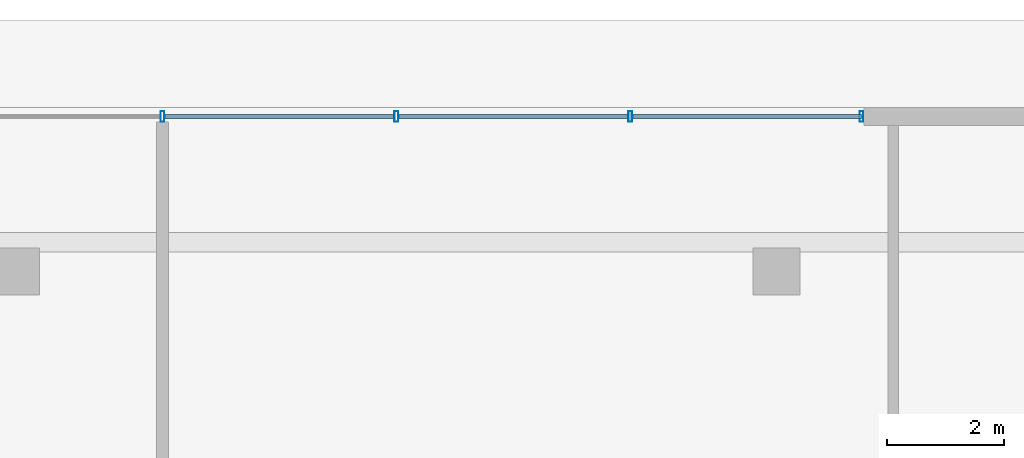
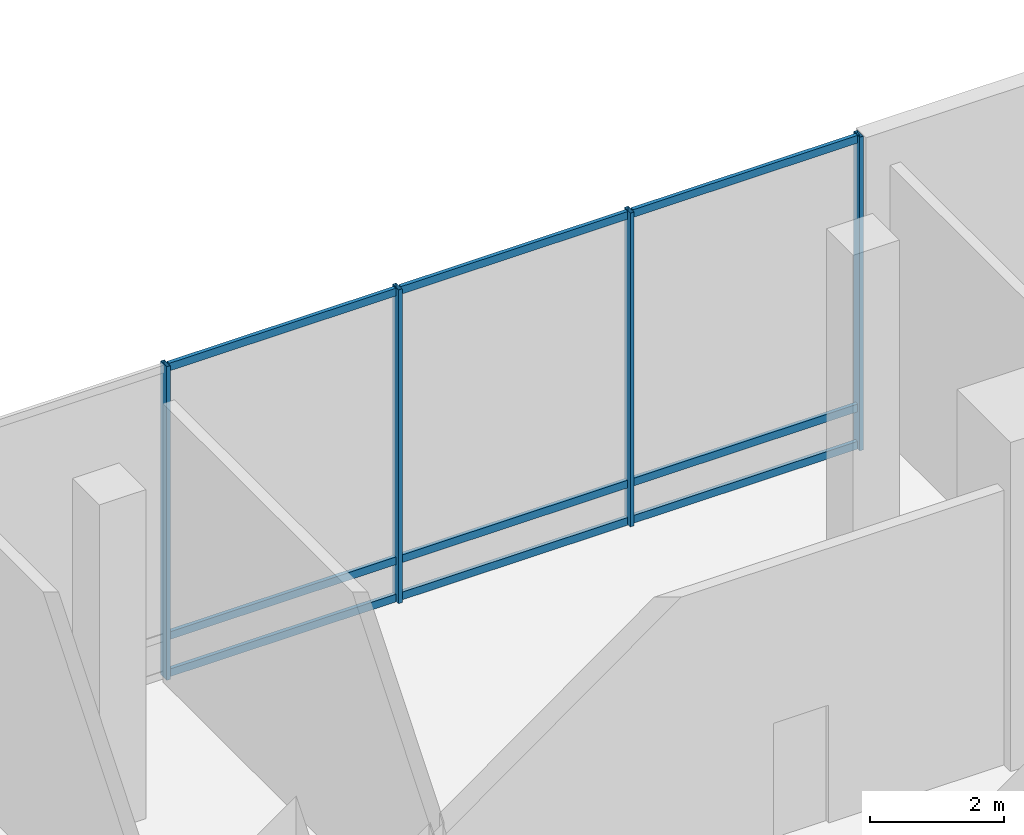
# One storey, part 16 of 34: 13 members, 1 element without a shape of its own.
"""IFC4 building model written with IfcOpenShell, lengths in metres."""

from ifc_helpers import new_model, si_unit, direction, frame, origin, origin_2d, place, context, subcontext, project, spatial, hollow_rectangle, extrude, material, layer, layer_set, material_profile, profile_set, type_object, element, aggregate, save


model = new_model("IFC4")

# Units and contexts
model_context = context("Model", 3, precision=1e-05, world=origin(), true_north=direction((0.0, 1.0)))
body_context = subcontext(model_context, "Body", "Model", "MODEL_VIEW")
ifc_project = project(units=[si_unit("LENGTHUNIT", "METRE"), si_unit("AREAUNIT", "SQUARE_METRE"), si_unit("VOLUMEUNIT", "CUBIC_METRE"), si_unit("PLANEANGLEUNIT", "RADIAN"), si_unit("MASSUNIT", "GRAM", prefix="KILO")], contexts=[model_context])

# Site, building, storey
site_placement = place(None, origin())
site = spatial("IfcSite", under=ifc_project, at=site_placement, CompositionType="ELEMENT")
building_placement = place(site_placement, origin())
building = spatial("IfcBuilding", under=site, at=building_placement, Name="Barlavira Tower and Art Museum", CompositionType="ELEMENT")
storey_placement = place(building_placement, origin())
storey = spatial("IfcBuildingStorey", under=building, at=storey_placement, Name="L00", CompositionType="ELEMENT", Elevation=0.0)

# Curtain wall, members
ifc_material_1 = material(Name="Low-iron coastal laminated glass", Category="glass")
ifc_layer = layer(ifc_material_1, 0.179931640625, Name="Low-iron coastal laminated glass")
ifc_layer_set = layer_set([ifc_layer], Name="Low-iron coastal laminated glass")
curtain_wall_type = type_object("IfcCurtainWallType", Name="Pale-Metal Unitised Curtain Wall Zone 1", PredefinedType="NOTDEFINED", material=ifc_layer_set)
curtain_wall_placement = place(storey_placement, origin())
curtain_wall = element("IfcCurtainWall", 1, at=curtain_wall_placement, inside=storey, type_object=curtain_wall_type, Name="L00 Curtain Wall CW1-L00-N", PredefinedType="NOTDEFINED")
ifc_material_2 = material(Name="Pale anodised aluminium", Category="aluminium")
ifc_material_profile_1 = material_profile(ifc_material_2, hollow_rectangle(XDim=0.06494140625, YDim=0.179931640625, WallThickness=0.00390625, at=origin_2d()), Name="ALU-MULL 65x180x4")
ifc_profile_set_1 = profile_set([ifc_material_profile_1], Name="Pale anodised aluminium")
member_type_1 = type_object("IfcMemberType", Name="Curtain Wall Pale-Metal Mullion 65x180", PredefinedType="MULLION", material=ifc_profile_set_1)
member_1_placement = place(storey_placement, frame((7.955078125, 27.64990234375, 0.0), z_axis=(0.0, 0.0, 1.0), x_axis=(-1.0, 0.0, 0.0)))
member_1 = element("IfcMember", 2, at=member_1_placement, type_object=member_type_1, Name="CW1-L00-N Mullion 0", PredefinedType="MULLION", context=body_context, shape_type="SweptSolid", body=[
    extrude(hollow_rectangle(XDim=0.06494140625, YDim=0.179931640625, WallThickness=0.00390625, at=origin_2d()), origin(), (0.0, 0.0, 1.0), 5.719970703125),
])
member_2_placement = place(storey_placement, frame((4.0, 27.64990234375, 0.0), z_axis=(0.0, 0.0, 1.0), x_axis=(-1.0, 0.0, 0.0)))
member_2 = element("IfcMember", 3, at=member_2_placement, type_object=member_type_1, Name="CW1-L00-N Mullion 1", PredefinedType="MULLION", context=body_context, shape_type="SweptSolid", body=[
    extrude(hollow_rectangle(XDim=0.06494140625, YDim=0.179931640625, WallThickness=0.00390625, at=origin_2d()), origin(), (0.0, 0.0, 1.0), 5.719970703125),
])
member_3_placement = place(storey_placement, frame((0.0, 27.64990234375, 0.0), z_axis=(0.0, 0.0, 1.0), x_axis=(-1.0, 0.0, 0.0)))
member_3 = element("IfcMember", 4, at=member_3_placement, type_object=member_type_1, Name="CW1-L00-N Mullion 2", PredefinedType="MULLION", context=body_context, shape_type="SweptSolid", body=[
    extrude(hollow_rectangle(XDim=0.06494140625, YDim=0.179931640625, WallThickness=0.00390625, at=origin_2d()), origin(), (0.0, 0.0, 1.0), 5.719970703125),
])
member_4_placement = place(storey_placement, frame((-4.0, 27.64990234375, 0.0), z_axis=(0.0, 0.0, 1.0), x_axis=(-1.0, 0.0, 0.0)))
member_4 = element("IfcMember", 5, at=member_4_placement, type_object=member_type_1, Name="CW1-L00-N Mullion 3", PredefinedType="MULLION", context=body_context, shape_type="SweptSolid", body=[
    extrude(hollow_rectangle(XDim=0.06494140625, YDim=0.179931640625, WallThickness=0.00390625, at=origin_2d()), origin(), (0.0, 0.0, 1.0), 5.719970703125),
])
ifc_material_profile_2 = material_profile(ifc_material_2, hollow_rectangle(XDim=0.06494140625, YDim=0.139892578125, WallThickness=0.00390625, at=origin_2d()), Name="ALU-TRAN 65x140x4")
ifc_profile_set_2 = profile_set([ifc_material_profile_2], Name="Pale anodised aluminium")
member_type_2 = type_object("IfcMemberType", Name="Curtain Wall Pale-Metal Transom 65x140", PredefinedType="USERDEFINED", material=ifc_profile_set_2)
member_5_placement = place(storey_placement, frame((7.955078125, 27.64990234375, 0.070068359375), z_axis=(-1.0, 0.0, 0.0), x_axis=(0.0, -1.0, 0.0)))
member_5 = element("IfcMember", 6, at=member_5_placement, type_object=member_type_2, Name="CW1-L00-N Transom 0.1", ObjectType="TRANSOM", PredefinedType="USERDEFINED", context=body_context, shape_type="SweptSolid", body=[
    extrude(hollow_rectangle(XDim=0.06494140625, YDim=0.139892578125, WallThickness=0.00390625, at=origin_2d()), origin(), (0.0, 0.0, 1.0), 3.91015625),
])
member_6_placement = place(storey_placement, frame((7.955078125, 27.64990234375, 0.75), z_axis=(-1.0, 0.0, 0.0), x_axis=(0.0, -1.0, 0.0)))
member_6 = element("IfcMember", 7, at=member_6_placement, type_object=member_type_2, Name="CW1-L00-N Transom 0.2", ObjectType="TRANSOM", PredefinedType="USERDEFINED", context=body_context, shape_type="SweptSolid", body=[
    extrude(hollow_rectangle(XDim=0.06494140625, YDim=0.139892578125, WallThickness=0.00390625, at=origin_2d()), origin(), (0.0, 0.0, 1.0), 3.91015625),
])
member_7_placement = place(storey_placement, frame((7.955078125, 27.64990234375, 5.64990234375), z_axis=(-1.0, 0.0, 0.0), x_axis=(0.0, -1.0, 0.0)))
member_7 = element("IfcMember", 8, at=member_7_placement, type_object=member_type_2, Name="CW1-L00-N Transom 0.3", ObjectType="TRANSOM", PredefinedType="USERDEFINED", context=body_context, shape_type="SweptSolid", body=[
    extrude(hollow_rectangle(XDim=0.06494140625, YDim=0.139892578125, WallThickness=0.00390625, at=origin_2d()), origin(), (0.0, 0.0, 1.0), 3.91015625),
])
member_8_placement = place(storey_placement, frame((3.955078125, 27.64990234375, 0.070068359375), z_axis=(-1.0, 0.0, 0.0), x_axis=(0.0, -1.0, 0.0)))
member_8 = element("IfcMember", 9, at=member_8_placement, type_object=member_type_2, Name="CW1-L00-N Transom 1.1", ObjectType="TRANSOM", PredefinedType="USERDEFINED", context=body_context, shape_type="SweptSolid", body=[
    extrude(hollow_rectangle(XDim=0.06494140625, YDim=0.139892578125, WallThickness=0.00390625, at=origin_2d()), origin(), (0.0, 0.0, 1.0), 3.91015625),
])
member_9_placement = place(storey_placement, frame((3.955078125, 27.64990234375, 0.75), z_axis=(-1.0, 0.0, 0.0), x_axis=(0.0, -1.0, 0.0)))
member_9 = element("IfcMember", 10, at=member_9_placement, type_object=member_type_2, Name="CW1-L00-N Transom 1.2", ObjectType="TRANSOM", PredefinedType="USERDEFINED", context=body_context, shape_type="SweptSolid", body=[
    extrude(hollow_rectangle(XDim=0.06494140625, YDim=0.139892578125, WallThickness=0.00390625, at=origin_2d()), origin(), (0.0, 0.0, 1.0), 3.91015625),
])
member_10_placement = place(storey_placement, frame((3.955078125, 27.64990234375, 5.64990234375), z_axis=(-1.0, 0.0, 0.0), x_axis=(0.0, -1.0, 0.0)))
member_10 = element("IfcMember", 11, at=member_10_placement, type_object=member_type_2, Name="CW1-L00-N Transom 1.3", ObjectType="TRANSOM", PredefinedType="USERDEFINED", context=body_context, shape_type="SweptSolid", body=[
    extrude(hollow_rectangle(XDim=0.06494140625, YDim=0.139892578125, WallThickness=0.00390625, at=origin_2d()), origin(), (0.0, 0.0, 1.0), 3.91015625),
])
member_11_placement = place(storey_placement, frame((-0.044921875, 27.64990234375, 0.070068359375), z_axis=(-1.0, 0.0, 0.0), x_axis=(0.0, -1.0, 0.0)))
member_11 = element("IfcMember", 12, at=member_11_placement, type_object=member_type_2, Name="CW1-L00-N Transom 2.1", ObjectType="TRANSOM", PredefinedType="USERDEFINED", context=body_context, shape_type="SweptSolid", body=[
    extrude(hollow_rectangle(XDim=0.06494140625, YDim=0.139892578125, WallThickness=0.00390625, at=origin_2d()), origin(), (0.0, 0.0, 1.0), 3.91015625),
])
member_12_placement = place(storey_placement, frame((-0.044921875, 27.64990234375, 0.75), z_axis=(-1.0, 0.0, 0.0), x_axis=(0.0, -1.0, 0.0)))
member_12 = element("IfcMember", 13, at=member_12_placement, type_object=member_type_2, Name="CW1-L00-N Transom 2.2", ObjectType="TRANSOM", PredefinedType="USERDEFINED", context=body_context, shape_type="SweptSolid", body=[
    extrude(hollow_rectangle(XDim=0.06494140625, YDim=0.139892578125, WallThickness=0.00390625, at=origin_2d()), origin(), (0.0, 0.0, 1.0), 3.91015625),
])
member_13_placement = place(storey_placement, frame((-0.044921875, 27.64990234375, 5.64990234375), z_axis=(-1.0, 0.0, 0.0), x_axis=(0.0, -1.0, 0.0)))
member_13 = element("IfcMember", 14, at=member_13_placement, type_object=member_type_2, Name="CW1-L00-N Transom 2.3", ObjectType="TRANSOM", PredefinedType="USERDEFINED", context=body_context, shape_type="SweptSolid", body=[
    extrude(hollow_rectangle(XDim=0.06494140625, YDim=0.139892578125, WallThickness=0.00390625, at=origin_2d()), origin(), (0.0, 0.0, 1.0), 3.91015625),
])
aggregate(curtain_wall, [member_1, member_2, member_3, member_4, member_5, member_6, member_7, member_8, member_9, member_10, member_11, member_12, member_13])

save(model, "model.ifc")
